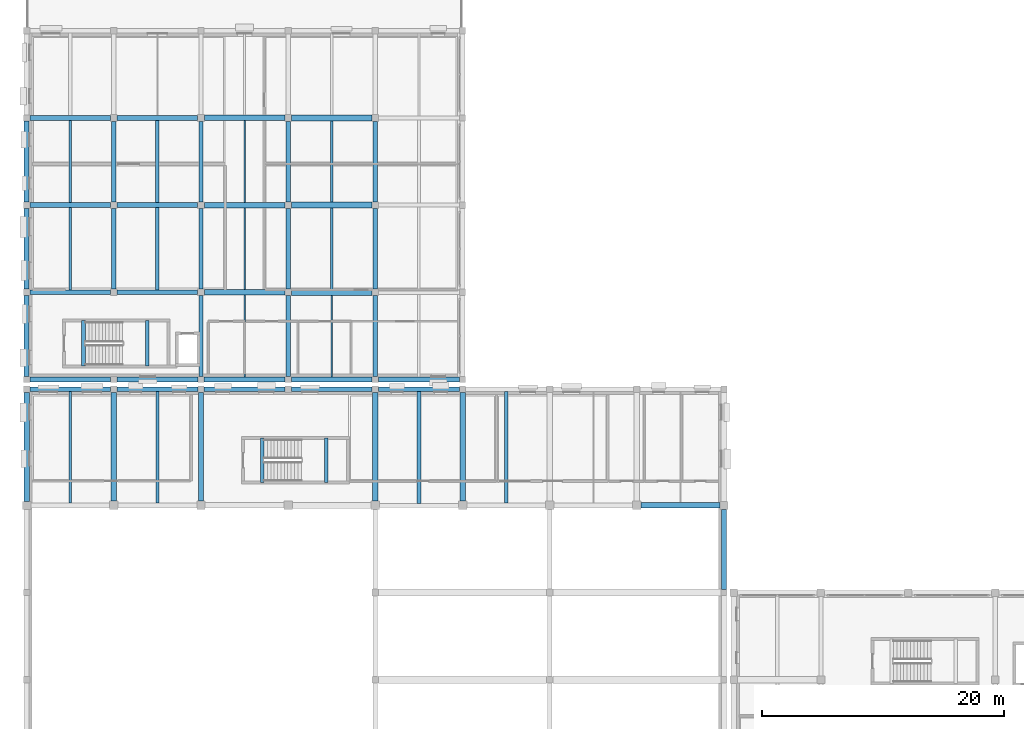
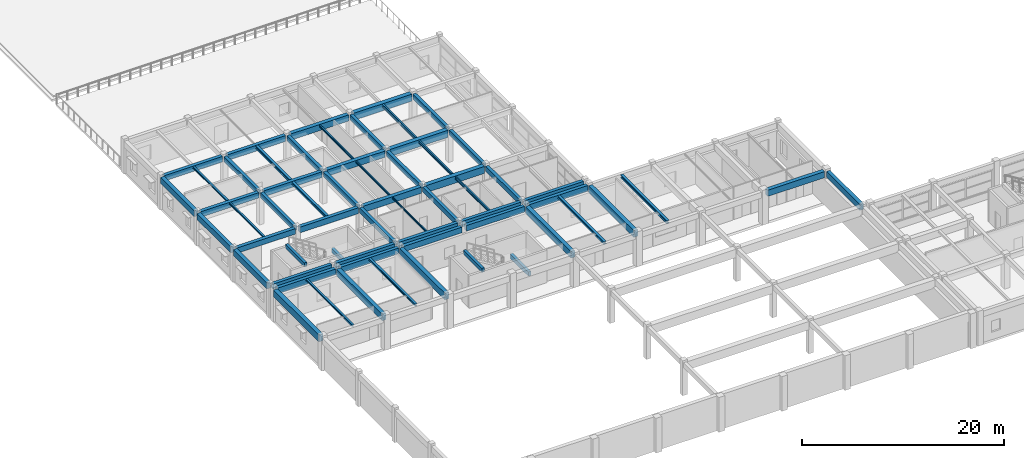
# One storey, part 5 of 67: 61 beams.
"""IFC4 building model written with IfcOpenShell, lengths in metres."""

from ifc_helpers import new_model, si_unit, direction, frame, origin, origin_2d, place, context, subcontext, project, spatial, rectangle, i_section, extrude, material, material_profile, profile_set, type_object, element, save


model = new_model("IFC4")

# Units and contexts
model_context = context("Model", 3, precision=1e-05, world=origin(), true_north=direction((0.0, 1.0)))
body_context = subcontext(model_context, "Body", "Model", "MODEL_VIEW")
ifc_project = project(units=[si_unit("LENGTHUNIT", "METRE"), si_unit("AREAUNIT", "SQUARE_METRE"), si_unit("VOLUMEUNIT", "CUBIC_METRE"), si_unit("PLANEANGLEUNIT", "RADIAN"), si_unit("MASSUNIT", "GRAM", prefix="KILO")], contexts=[model_context])

# Site, building, storey
site_placement = place(None, origin())
site = spatial("IfcSite", under=ifc_project, at=site_placement, CompositionType="ELEMENT")
building_placement = place(site_placement, origin())
building = spatial("IfcBuilding", under=site, at=building_placement, Name="Bramveld Media Centre", CompositionType="ELEMENT")
storey_placement = place(building_placement, frame((0.0, 0.0, 5.39990234375)))
storey = spatial("IfcBuildingStorey", under=building, at=storey_placement, Name="L01", CompositionType="ELEMENT", Elevation=5.39990234375)

# Beams
ifc_material_1 = material(Name="Concrete C40/50", Category="concrete")
ifc_material_profile_1 = material_profile(ifc_material_1, rectangle(XDim=0.300048828125, YDim=0.5, at=origin_2d()), Name="RC 300x500")
ifc_profile_set_1 = profile_set([ifc_material_profile_1], Name="Concrete C40/50")
beam_type_1 = type_object("IfcBeamType", Name="BM-INT-RC-300x500", PredefinedType="BEAM", material=ifc_profile_set_1)
for number, where, z_axis, x_axis, name in (
    (1, (4.699951171875, 40.300048828125, 3.9501953125), (0.0, 1.0, 0.0), (-1.0, 0.0, 0.0), "ST-04 L02 stairwell landing trimmer beam"),
    (2, (9.949951171875, 40.300048828125, 1.650146484375), (0.0, 1.0, 0.0), (-1.0, 0.0, 0.0), "ST-04 L01 stairwell half-landing support beam"),
):
    element("IfcBeam", number, at=place(storey_placement, frame(where, z_axis=z_axis, x_axis=x_axis)), inside=storey, type_object=beam_type_1, Name=name, PredefinedType="BEAM", context=body_context, shape_type="SweptSolid", body=[
        extrude(rectangle(XDim=0.300048828125, YDim=0.5, at=origin_2d()), origin(), (0.0, 0.0, 1.0), 3.75),
    ])
for number, where, z_axis, x_axis, name in (
    (3, (19.449951171875, 30.699951171875, 3.9501953125), (0.0, 1.0, 0.0), (-1.0, 0.0, 0.0), "ST-05 L02 stairwell landing trimmer beam"),
    (4, (24.75, 30.699951171875, 1.650146484375), (0.0, 1.0, 0.0), (-1.0, 0.0, 0.0), "ST-05 L01 stairwell half-landing support beam"),
):
    element("IfcBeam", number, at=place(storey_placement, frame(where, z_axis=z_axis, x_axis=x_axis)), inside=storey, type_object=beam_type_1, Name=name, PredefinedType="BEAM", context=body_context, shape_type="SweptSolid", body=[
        extrude(rectangle(XDim=0.300048828125, YDim=0.5, at=origin_2d()), origin(), (0.0, 0.0, 1.0), 3.650146484375),
    ])
ifc_material_2 = material(Name="Concrete C40/50", Category="concrete")
ifc_material_profile_2 = material_profile(ifc_material_2, rectangle(XDim=0.35009765625, YDim=0.60009765625, at=origin_2d()), Name="RC 350x600")
ifc_profile_set_2 = profile_set([ifc_material_profile_2], Name="Concrete C40/50")
beam_type_2 = type_object("IfcBeamType", Name="BM-INT-RC-350x600", PredefinedType="BEAM", material=ifc_profile_set_2)
for number, where, z_axis, x_axis, name in (
    (5, (7.199951171875, 46.675048828125, 3.64013671875), (0.0, 1.0, 0.0), (-1.0, 0.0, 0.0), "V3 L01 girder Y-286"),
    (6, (7.199951171875, 53.875, 3.64013671875), (0.0, 1.0, 0.0), (-1.0, 0.0, 0.0), "V3 L01 girder Y-287"),
):
    element("IfcBeam", number, at=place(storey_placement, frame(where, z_axis=z_axis, x_axis=x_axis)), inside=storey, type_object=beam_type_2, Name=name, PredefinedType="BEAM", context=body_context, shape_type="SweptSolid", body=[
        extrude(rectangle(XDim=0.35009765625, YDim=0.60009765625, at=origin_2d()), origin(), (0.0, 0.0, 1.0), 6.64990234375),
    ])
beam_1_placement = place(storey_placement, frame((14.39990234375, 39.4599609375, 3.64013671875), z_axis=(0.0, 1.0, 0.0), x_axis=(-1.0, 0.0, 0.0)))
element("IfcBeam", 7, at=beam_1_placement, inside=storey, type_object=beam_type_2, Name="V3 L01 girder Y-289", PredefinedType="BEAM", context=body_context, shape_type="SweptSolid", body=[
    extrude(rectangle(XDim=0.35009765625, YDim=0.60009765625, at=origin_2d()), origin(), (0.0, 0.0, 1.0), 6.6650390625),
])
for number, where, z_axis, x_axis, name in (
    (8, (14.39990234375, 46.675048828125, 3.64013671875), (0.0, 1.0, 0.0), (-1.0, 0.0, 0.0), "V3 L01 girder Y-290"),
    (9, (14.39990234375, 53.875, 3.64013671875), (0.0, 1.0, 0.0), (-1.0, 0.0, 0.0), "V3 L01 girder Y-291"),
):
    element("IfcBeam", number, at=place(storey_placement, frame(where, z_axis=z_axis, x_axis=x_axis)), inside=storey, type_object=beam_type_2, Name=name, PredefinedType="BEAM", context=body_context, shape_type="SweptSolid", body=[
        extrude(rectangle(XDim=0.35009765625, YDim=0.60009765625, at=origin_2d()), origin(), (0.0, 0.0, 1.0), 6.64990234375),
    ])
beam_2_placement = place(storey_placement, frame((21.60009765625, 39.4599609375, 3.64013671875), z_axis=(0.0, 1.0, 0.0), x_axis=(-1.0, 0.0, 0.0)))
element("IfcBeam", 10, at=beam_2_placement, inside=storey, type_object=beam_type_2, Name="V3 L01 girder Y-293", PredefinedType="BEAM", context=body_context, shape_type="SweptSolid", body=[
    extrude(rectangle(XDim=0.35009765625, YDim=0.60009765625, at=origin_2d()), origin(), (0.0, 0.0, 1.0), 6.6650390625),
])
for number, where, z_axis, x_axis, name in (
    (11, (21.60009765625, 46.675048828125, 3.64013671875), (0.0, 1.0, 0.0), (-1.0, 0.0, 0.0), "V3 L01 girder Y-294"),
    (12, (21.60009765625, 53.875, 3.64013671875), (0.0, 1.0, 0.0), (-1.0, 0.0, 0.0), "V3 L01 girder Y-295"),
):
    element("IfcBeam", number, at=place(storey_placement, frame(where, z_axis=z_axis, x_axis=x_axis)), inside=storey, type_object=beam_type_2, Name=name, PredefinedType="BEAM", context=body_context, shape_type="SweptSolid", body=[
        extrude(rectangle(XDim=0.35009765625, YDim=0.60009765625, at=origin_2d()), origin(), (0.0, 0.0, 1.0), 6.64990234375),
    ])
beam_3_placement = place(storey_placement, frame((28.800048828125, 39.4599609375, 3.64013671875), z_axis=(0.0, 1.0, 0.0), x_axis=(-1.0, 0.0, 0.0)))
element("IfcBeam", 13, at=beam_3_placement, inside=storey, type_object=beam_type_2, Name="V3 L01 girder Y-297", PredefinedType="BEAM", context=body_context, shape_type="SweptSolid", body=[
    extrude(rectangle(XDim=0.35009765625, YDim=0.60009765625, at=origin_2d()), origin(), (0.0, 0.0, 1.0), 6.6650390625),
])
for number, where, z_axis, x_axis, name in (
    (14, (28.800048828125, 46.675048828125, 3.64013671875), (0.0, 1.0, 0.0), (-1.0, 0.0, 0.0), "V3 L01 girder Y-298"),
    (15, (28.800048828125, 53.875, 3.64013671875), (0.0, 1.0, 0.0), (-1.0, 0.0, 0.0), "V3 L01 girder Y-299"),
):
    element("IfcBeam", number, at=place(storey_placement, frame(where, z_axis=z_axis, x_axis=x_axis)), inside=storey, type_object=beam_type_2, Name=name, PredefinedType="BEAM", context=body_context, shape_type="SweptSolid", body=[
        extrude(rectangle(XDim=0.35009765625, YDim=0.60009765625, at=origin_2d()), origin(), (0.0, 0.0, 1.0), 6.64990234375),
    ])
ifc_material_3 = material(Name="Concrete C40/50", Category="concrete")
ifc_material_profile_3 = material_profile(ifc_material_3, rectangle(XDim=0.39990234375, YDim=0.64990234375, at=origin_2d()), Name="RC 400x650")
ifc_profile_set_3 = profile_set([ifc_material_profile_3], Name="Concrete C40/50")
beam_type_3 = type_object("IfcBeamType", Name="BM-INT-RC-400x650", PredefinedType="BEAM", material=ifc_profile_set_3)
for number, where, z_axis, x_axis, name in (
    (16, (0.260009765625, 46.39990234375, 3.614990234375), (1.0, 0.0, 0.0), (0.0, 1.0, 0.0), "V3 L01 girder X-262"),
    (17, (0.260009765625, 53.60009765625, 3.614990234375), (1.0, 0.0, 0.0), (0.0, 1.0, 0.0), "V3 L01 girder X-267"),
    (18, (0.260009765625, 60.800048828125, 3.614990234375), (1.0, 0.0, 0.0), (0.0, 1.0, 0.0), "V3 L01 girder X-272"),
):
    element("IfcBeam", number, at=place(storey_placement, frame(where, z_axis=z_axis, x_axis=x_axis)), inside=storey, type_object=beam_type_3, Name=name, PredefinedType="BEAM", context=body_context, shape_type="SweptSolid", body=[
        extrude(rectangle(XDim=0.39990234375, YDim=0.64990234375, at=origin_2d()), origin(), (0.0, 0.0, 1.0), 6.6650390625),
    ])
ifc_material_4 = material(Name="Concrete C40/50", Category="concrete")
ifc_material_profile_4 = material_profile(ifc_material_4, rectangle(XDim=0.39990234375, YDim=0.699951171875, at=origin_2d()), Name="RC 400x700")
ifc_profile_set_4 = profile_set([ifc_material_profile_4], Name="Concrete C40/50")
beam_type_4 = type_object("IfcBeamType", Name="BM-INT-RC-400x700", PredefinedType="BEAM", material=ifc_profile_set_4)
for number, where, z_axis, x_axis, name in (
    (19, (7.47509765625, 46.39990234375, 3.590087890625), (1.0, 0.0, 0.0), (0.0, 1.0, 0.0), "V3 L01 girder X-263"),
    (20, (7.47509765625, 53.60009765625, 3.590087890625), (1.0, 0.0, 0.0), (0.0, 1.0, 0.0), "V3 L01 girder X-268"),
    (21, (7.47509765625, 60.800048828125, 3.590087890625), (1.0, 0.0, 0.0), (0.0, 1.0, 0.0), "V3 L01 girder X-273"),
):
    element("IfcBeam", number, at=place(storey_placement, frame(where, z_axis=z_axis, x_axis=x_axis)), inside=storey, type_object=beam_type_4, Name=name, PredefinedType="BEAM", context=body_context, shape_type="SweptSolid", body=[
        extrude(rectangle(XDim=0.39990234375, YDim=0.699951171875, at=origin_2d()), origin(), (0.0, 0.0, 1.0), 6.64990234375),
    ])
ifc_material_5 = material(Name="Concrete C40/50", Category="concrete")
ifc_material_profile_5 = material_profile(ifc_material_5, rectangle(XDim=0.449951171875, YDim=0.75, at=origin_2d()), Name="RC 450x750")
ifc_profile_set_5 = profile_set([ifc_material_profile_5], Name="Concrete C40/50")
beam_type_5 = type_object("IfcBeamType", Name="BM-INT-RC-450x750", PredefinedType="BEAM", material=ifc_profile_set_5)
beam_4_placement = place(storey_placement, frame((50.75, 28.800048828125, 3.545166015625), z_axis=(1.0, 0.0, 0.0), x_axis=(0.0, 1.0, 0.0)))
element("IfcBeam", 22, at=beam_4_placement, inside=storey, type_object=beam_type_5, Name="V2 L01 girder X-152", PredefinedType="BEAM", context=body_context, shape_type="SweptSolid", body=[
    extrude(rectangle(XDim=0.449951171875, YDim=0.75, at=origin_2d()), origin(), (0.0, 0.0, 1.0), 6.510009765625),
])
for number, where, z_axis, x_axis, name in (
    (23, (14.675048828125, 46.39990234375, 3.565185546875), (1.0, 0.0, 0.0), (0.0, 1.0, 0.0), "V3 L01 girder X-264"),
    (24, (14.675048828125, 53.60009765625, 3.565185546875), (1.0, 0.0, 0.0), (0.0, 1.0, 0.0), "V3 L01 girder X-269"),
    (25, (14.675048828125, 60.800048828125, 3.565185546875), (1.0, 0.0, 0.0), (0.0, 1.0, 0.0), "V3 L01 girder X-274"),
):
    element("IfcBeam", number, at=place(storey_placement, frame(where, z_axis=z_axis, x_axis=x_axis)), inside=storey, type_object=beam_type_5, Name=name, PredefinedType="BEAM", context=body_context, shape_type="SweptSolid", body=[
        extrude(rectangle(XDim=0.449951171875, YDim=0.75, at=origin_2d()), origin(), (0.0, 0.0, 1.0), 6.64990234375),
    ])
ifc_material_6 = material(Name="Concrete C40/50", Category="concrete")
ifc_material_profile_6 = material_profile(ifc_material_6, rectangle(XDim=0.449951171875, YDim=0.800048828125, at=origin_2d()), Name="RC 450x800")
ifc_profile_set_6 = profile_set([ifc_material_profile_6], Name="Concrete C40/50")
beam_type_6 = type_object("IfcBeamType", Name="BM-INT-RC-450x800", PredefinedType="BEAM", material=ifc_profile_set_6)
for number, where, z_axis, x_axis, name in (
    (26, (7.199951171875, 29.14990234375, 3.52001953125), (0.0, 1.0, 0.0), (-1.0, 0.0, 0.0), "V2 L01 girder Y-166"),
    (27, (14.39990234375, 29.14990234375, 3.52001953125), (0.0, 1.0, 0.0), (-1.0, 0.0, 0.0), "V2 L01 girder Y-167"),
    (28, (28.800048828125, 29.14990234375, 3.52001953125), (0.0, 1.0, 0.0), (-1.0, 0.0, 0.0), "V2 L01 girder Y-172"),
    (29, (36.0, 29.14990234375, 3.52001953125), (0.0, 1.0, 0.0), (-1.0, 0.0, 0.0), "V2 L01 girder Y-173"),
):
    element("IfcBeam", number, at=place(storey_placement, frame(where, z_axis=z_axis, x_axis=x_axis)), inside=storey, type_object=beam_type_6, Name=name, PredefinedType="BEAM", context=body_context, shape_type="SweptSolid", body=[
        extrude(rectangle(XDim=0.449951171875, YDim=0.800048828125, at=origin_2d()), origin(), (0.0, 0.0, 1.0), 8.989990234375),
    ])
ifc_material_7 = material(Name="Concrete C40/50", Category="concrete")
ifc_material_profile_7 = material_profile(ifc_material_7, rectangle(XDim=0.5, YDim=0.85009765625, at=origin_2d()), Name="RC 500x850")
ifc_profile_set_7 = profile_set([ifc_material_profile_7], Name="Concrete C40/50")
beam_type_7 = type_object("IfcBeamType", Name="BM-INT-RC-500x850", PredefinedType="BEAM", material=ifc_profile_set_7)
for number, where, z_axis, x_axis, name in (
    (30, (21.875, 46.39990234375, 3.51513671875), (1.0, 0.0, 0.0), (0.0, 1.0, 0.0), "V3 L01 girder X-265"),
    (31, (21.875, 53.60009765625, 3.51513671875), (1.0, 0.0, 0.0), (0.0, 1.0, 0.0), "V3 L01 girder X-270"),
    (32, (21.875, 60.800048828125, 3.51513671875), (1.0, 0.0, 0.0), (0.0, 1.0, 0.0), "V3 L01 girder X-275"),
):
    element("IfcBeam", number, at=place(storey_placement, frame(where, z_axis=z_axis, x_axis=x_axis)), inside=storey, type_object=beam_type_7, Name=name, PredefinedType="BEAM", context=body_context, shape_type="SweptSolid", body=[
        extrude(rectangle(XDim=0.5, YDim=0.85009765625, at=origin_2d()), origin(), (0.0, 0.0, 1.0), 6.64990234375),
    ])
ifc_material_8 = material(Name="Steel S355J2", Category="steel")
ifc_material_profile_8 = material_profile(ifc_material_8, i_section(OverallWidth=0.199951171875, OverallDepth=0.199951171875, WebThickness=0.009033203125, FlangeThickness=0.014892578125, FilletRadius=0.01806640625, at=origin_2d()), Name="HEB 200")
ifc_profile_set_8 = profile_set([ifc_material_profile_8], Name="Steel S355J2")
beam_type_8 = type_object("IfcBeamType", Name="SBM-INT-HEB-200", PredefinedType="BEAM", material=ifc_profile_set_8)
beam_5_placement = place(storey_placement, frame((3.60009765625, 46.60009765625, 3.840087890625), z_axis=(0.0, 1.0, 0.0), x_axis=(-1.0, 0.0, 0.0)))
element("IfcBeam", 33, at=beam_5_placement, inside=storey, type_object=beam_type_8, Name="V3 L01 secondary floor joist 305", PredefinedType="BEAM", context=body_context, shape_type="SweptSolid", body=[
    extrude(i_section(OverallWidth=0.199951171875, OverallDepth=0.199951171875, WebThickness=0.009033203125, FlangeThickness=0.014892578125, FilletRadius=0.01806640625, at=origin_2d()), origin(), (0.0, 0.0, 1.0), 6.7998046875),
])
ifc_material_9 = material(Name="Steel S355J2", Category="steel")
ifc_material_profile_9 = material_profile(ifc_material_9, i_section(OverallWidth=0.219970703125, OverallDepth=0.219970703125, WebThickness=0.009521484375, FlangeThickness=0.01611328125, FilletRadius=0.01806640625, at=origin_2d()), Name="HEB 220")
ifc_profile_set_9 = profile_set([ifc_material_profile_9], Name="Steel S355J2")
beam_type_9 = type_object("IfcBeamType", Name="SBM-INT-HEB-220", PredefinedType="BEAM", material=ifc_profile_set_9)
beam_6_placement = place(storey_placement, frame((3.60009765625, 29.0, 3.81005859375), z_axis=(0.0, 1.0, 0.0), x_axis=(-1.0, 0.0, 0.0)))
element("IfcBeam", 34, at=beam_6_placement, inside=storey, type_object=beam_type_9, Name="V2 L01 secondary floor joist 185", PredefinedType="BEAM", context=body_context, shape_type="SweptSolid", body=[
    extrude(i_section(OverallWidth=0.219970703125, OverallDepth=0.219970703125, WebThickness=0.009521484375, FlangeThickness=0.01611328125, FilletRadius=0.01806640625, at=origin_2d()), origin(), (0.0, 0.0, 1.0), 9.2099609375),
])
beam_7_placement = place(storey_placement, frame((3.60009765625, 53.800048828125, 3.830078125), z_axis=(0.0, 1.0, 0.0), x_axis=(-1.0, 0.0, 0.0)))
element("IfcBeam", 35, at=beam_7_placement, inside=storey, type_object=beam_type_9, Name="V3 L01 secondary floor joist 306", PredefinedType="BEAM", context=body_context, shape_type="SweptSolid", body=[
    extrude(i_section(OverallWidth=0.219970703125, OverallDepth=0.219970703125, WebThickness=0.009521484375, FlangeThickness=0.01611328125, FilletRadius=0.01806640625, at=origin_2d()), origin(), (0.0, 0.0, 1.0), 6.800048828125),
])
ifc_material_10 = material(Name="Steel S355J2", Category="steel")
ifc_material_profile_10 = material_profile(ifc_material_10, i_section(OverallWidth=0.260009765625, OverallDepth=0.260009765625, WebThickness=0.010009765625, FlangeThickness=0.017578125, FilletRadius=0.02392578125, at=origin_2d()), Name="HEB 260")
ifc_profile_set_10 = profile_set([ifc_material_profile_10], Name="Steel S355J2")
beam_type_10 = type_object("IfcBeamType", Name="SBM-INT-HEB-260", PredefinedType="BEAM", material=ifc_profile_set_10)
beam_8_placement = place(storey_placement, frame((10.800048828125, 29.0, 3.7900390625), z_axis=(0.0, 1.0, 0.0), x_axis=(-1.0, 0.0, 0.0)))
element("IfcBeam", 36, at=beam_8_placement, inside=storey, type_object=beam_type_10, Name="V2 L01 secondary floor joist 186", PredefinedType="BEAM", context=body_context, shape_type="SweptSolid", body=[
    extrude(i_section(OverallWidth=0.260009765625, OverallDepth=0.260009765625, WebThickness=0.010009765625, FlangeThickness=0.017578125, FilletRadius=0.02392578125, at=origin_2d()), origin(), (0.0, 0.0, 1.0), 9.2099609375),
])
ifc_material_11 = material(Name="Steel S355J2", Category="steel")
ifc_material_profile_11 = material_profile(ifc_material_11, i_section(OverallWidth=0.300048828125, OverallDepth=0.320068359375, WebThickness=0.011474609375, FlangeThickness=0.0205078125, FilletRadius=0.027099609375, at=origin_2d()), Name="HEB 320")
ifc_profile_set_11 = profile_set([ifc_material_profile_11], Name="Steel S355J2")
beam_type_11 = type_object("IfcBeamType", Name="SBM-INT-HEB-320", PredefinedType="BEAM", material=ifc_profile_set_11)
beam_9_placement = place(storey_placement, frame((32.39990234375, 28.97509765625, 3.760009765625), z_axis=(0.0, 1.0, 0.0), x_axis=(-1.0, 0.0, 0.0)))
element("IfcBeam", 37, at=beam_9_placement, inside=storey, type_object=beam_type_11, Name="V2 L01 secondary floor joist 187", PredefinedType="BEAM", context=body_context, shape_type="SweptSolid", body=[
    extrude(i_section(OverallWidth=0.300048828125, OverallDepth=0.320068359375, WebThickness=0.011474609375, FlangeThickness=0.0205078125, FilletRadius=0.027099609375, at=origin_2d()), origin(), (0.0, 0.0, 1.0), 9.23486328125),
])
beam_10_placement = place(storey_placement, frame((10.800048828125, 46.60009765625, 3.780029296875), z_axis=(0.0, 1.0, 0.0), x_axis=(-1.0, 0.0, 0.0)))
element("IfcBeam", 38, at=beam_10_placement, inside=storey, type_object=beam_type_11, Name="V3 L01 secondary floor joist 308", PredefinedType="BEAM", context=body_context, shape_type="SweptSolid", body=[
    extrude(i_section(OverallWidth=0.300048828125, OverallDepth=0.320068359375, WebThickness=0.011474609375, FlangeThickness=0.0205078125, FilletRadius=0.027099609375, at=origin_2d()), origin(), (0.0, 0.0, 1.0), 6.7998046875),
])
ifc_material_12 = material(Name="Steel S355J2", Category="steel")
ifc_material_profile_12 = material_profile(ifc_material_12, i_section(OverallWidth=0.300048828125, OverallDepth=0.360107421875, WebThickness=0.012451171875, FlangeThickness=0.0224609375, FilletRadius=0.027099609375, at=origin_2d()), Name="HEB 360")
ifc_profile_set_12 = profile_set([ifc_material_profile_12], Name="Steel S355J2")
beam_type_12 = type_object("IfcBeamType", Name="SBM-INT-HEB-360", PredefinedType="BEAM", material=ifc_profile_set_12)
beam_11_placement = place(storey_placement, frame((39.60009765625, 29.0, 3.739990234375), z_axis=(0.0, 1.0, 0.0), x_axis=(-1.0, 0.0, 0.0)))
element("IfcBeam", 39, at=beam_11_placement, inside=storey, type_object=beam_type_12, Name="V2 L01 secondary floor joist 188", PredefinedType="BEAM", context=body_context, shape_type="SweptSolid", body=[
    extrude(i_section(OverallWidth=0.300048828125, OverallDepth=0.360107421875, WebThickness=0.012451171875, FlangeThickness=0.0224609375, FilletRadius=0.027099609375, at=origin_2d()), origin(), (0.0, 0.0, 1.0), 9.2099609375),
])
beam_12_placement = place(storey_placement, frame((10.800048828125, 53.800048828125, 3.760009765625), z_axis=(0.0, 1.0, 0.0), x_axis=(-1.0, 0.0, 0.0)))
element("IfcBeam", 40, at=beam_12_placement, inside=storey, type_object=beam_type_12, Name="V3 L01 secondary floor joist 309", PredefinedType="BEAM", context=body_context, shape_type="SweptSolid", body=[
    extrude(i_section(OverallWidth=0.300048828125, OverallDepth=0.360107421875, WebThickness=0.012451171875, FlangeThickness=0.0224609375, FilletRadius=0.027099609375, at=origin_2d()), origin(), (0.0, 0.0, 1.0), 6.800048828125),
])
ifc_material_13 = material(Name="Steel S355J2", Category="steel")
ifc_material_profile_13 = material_profile(ifc_material_13, i_section(OverallWidth=0.110107421875, OverallDepth=0.219970703125, WebThickness=0.005859375, FlangeThickness=0.00927734375, FilletRadius=0.011962890625, at=origin_2d()), Name="IPE 220")
ifc_profile_set_13 = profile_set([ifc_material_profile_13], Name="Steel S355J2")
beam_type_13 = type_object("IfcBeamType", Name="SBM-INT-IPE-220", PredefinedType="JOIST", material=ifc_profile_set_13)
beam_13_placement = place(storey_placement, frame((18.0, 39.389892578125, 3.830078125), z_axis=(0.0, 1.0, 0.0), x_axis=(-1.0, 0.0, 0.0)))
element("IfcBeam", 41, at=beam_13_placement, inside=storey, type_object=beam_type_13, Name="V3 L01 secondary floor joist 311", PredefinedType="JOIST", context=body_context, shape_type="SweptSolid", body=[
    extrude(i_section(OverallWidth=0.110107421875, OverallDepth=0.219970703125, WebThickness=0.005859375, FlangeThickness=0.00927734375, FilletRadius=0.011962890625, at=origin_2d()), origin(), (0.0, 0.0, 1.0), 6.78515625),
])
ifc_material_14 = material(Name="Steel S355J2", Category="steel")
ifc_material_profile_14 = material_profile(ifc_material_14, i_section(OverallWidth=0.1201171875, OverallDepth=0.239990234375, WebThickness=0.006103515625, FlangeThickness=0.009765625, FilletRadius=0.014892578125, at=origin_2d()), Name="IPE 240")
ifc_profile_set_14 = profile_set([ifc_material_profile_14], Name="Steel S355J2")
beam_type_14 = type_object("IfcBeamType", Name="SBM-INT-IPE-240", PredefinedType="JOIST", material=ifc_profile_set_14)
beam_14_placement = place(storey_placement, frame((18.0, 46.625, 3.820068359375), z_axis=(0.0, 1.0, 0.0), x_axis=(-1.0, 0.0, 0.0)))
element("IfcBeam", 42, at=beam_14_placement, inside=storey, type_object=beam_type_14, Name="V3 L01 secondary floor joist 312", PredefinedType="JOIST", context=body_context, shape_type="SweptSolid", body=[
    extrude(i_section(OverallWidth=0.1201171875, OverallDepth=0.239990234375, WebThickness=0.006103515625, FlangeThickness=0.009765625, FilletRadius=0.014892578125, at=origin_2d()), origin(), (0.0, 0.0, 1.0), 6.75),
])
ifc_material_15 = material(Name="Steel S355J2", Category="steel")
ifc_material_profile_15 = material_profile(ifc_material_15, i_section(OverallWidth=0.135009765625, OverallDepth=0.27001953125, WebThickness=0.006591796875, FlangeThickness=0.01025390625, FilletRadius=0.014892578125, at=origin_2d()), Name="IPE 270")
ifc_profile_set_15 = profile_set([ifc_material_profile_15], Name="Steel S355J2")
beam_type_15 = type_object("IfcBeamType", Name="SBM-INT-IPE-270", PredefinedType="JOIST", material=ifc_profile_set_15)
beam_15_placement = place(storey_placement, frame((18.0, 53.824951171875, 3.80517578125), z_axis=(0.0, 1.0, 0.0), x_axis=(-1.0, 0.0, 0.0)))
element("IfcBeam", 43, at=beam_15_placement, inside=storey, type_object=beam_type_15, Name="V3 L01 secondary floor joist 313", PredefinedType="JOIST", context=body_context, shape_type="SweptSolid", body=[
    extrude(i_section(OverallWidth=0.135009765625, OverallDepth=0.27001953125, WebThickness=0.006591796875, FlangeThickness=0.01025390625, FilletRadius=0.014892578125, at=origin_2d()), origin(), (0.0, 0.0, 1.0), 6.75),
])
ifc_material_16 = material(Name="Steel S355J2", Category="steel")
ifc_material_profile_16 = material_profile(ifc_material_16, i_section(OverallWidth=0.159912109375, OverallDepth=0.330078125, WebThickness=0.007568359375, FlangeThickness=0.011474609375, FilletRadius=0.01806640625, at=origin_2d()), Name="IPE 330")
ifc_profile_set_16 = profile_set([ifc_material_profile_16], Name="Steel S355J2")
beam_type_16 = type_object("IfcBeamType", Name="SBM-INT-IPE-330", PredefinedType="JOIST", material=ifc_profile_set_16)
beam_16_placement = place(storey_placement, frame((25.199951171875, 39.389892578125, 3.775146484375), z_axis=(0.0, 1.0, 0.0), x_axis=(-1.0, 0.0, 0.0)))
element("IfcBeam", 44, at=beam_16_placement, inside=storey, type_object=beam_type_16, Name="V3 L01 secondary floor joist 315", PredefinedType="JOIST", context=body_context, shape_type="SweptSolid", body=[
    extrude(i_section(OverallWidth=0.159912109375, OverallDepth=0.330078125, WebThickness=0.007568359375, FlangeThickness=0.011474609375, FilletRadius=0.01806640625, at=origin_2d()), origin(), (0.0, 0.0, 1.0), 6.760009765625),
])
ifc_material_17 = material(Name="Steel S355J2", Category="steel")
ifc_material_profile_17 = material_profile(ifc_material_17, i_section(OverallWidth=0.169921875, OverallDepth=0.360107421875, WebThickness=0.008056640625, FlangeThickness=0.0126953125, FilletRadius=0.01806640625, at=origin_2d()), Name="IPE 360")
ifc_profile_set_17 = profile_set([ifc_material_profile_17], Name="Steel S355J2")
beam_type_17 = type_object("IfcBeamType", Name="SBM-INT-IPE-360", PredefinedType="JOIST", material=ifc_profile_set_17)
beam_17_placement = place(storey_placement, frame((25.199951171875, 46.64990234375, 3.760009765625), z_axis=(0.0, 1.0, 0.0), x_axis=(-1.0, 0.0, 0.0)))
element("IfcBeam", 45, at=beam_17_placement, inside=storey, type_object=beam_type_17, Name="V3 L01 secondary floor joist 316", PredefinedType="JOIST", context=body_context, shape_type="SweptSolid", body=[
    extrude(i_section(OverallWidth=0.169921875, OverallDepth=0.360107421875, WebThickness=0.008056640625, FlangeThickness=0.0126953125, FilletRadius=0.01806640625, at=origin_2d()), origin(), (0.0, 0.0, 1.0), 6.7001953125),
])
ifc_material_18 = material(Name="Steel S355J2", Category="steel")
ifc_material_profile_18 = material_profile(ifc_material_18, i_section(OverallWidth=0.179931640625, OverallDepth=0.39990234375, WebThickness=0.008544921875, FlangeThickness=0.013427734375, FilletRadius=0.02099609375, at=origin_2d()), Name="IPE 400")
ifc_profile_set_18 = profile_set([ifc_material_profile_18], Name="Steel S355J2")
beam_type_18 = type_object("IfcBeamType", Name="SBM-INT-IPE-400", PredefinedType="JOIST", material=ifc_profile_set_18)
beam_18_placement = place(storey_placement, frame((25.199951171875, 53.85009765625, 3.739990234375), z_axis=(0.0, 1.0, 0.0), x_axis=(-1.0, 0.0, 0.0)))
element("IfcBeam", 46, at=beam_18_placement, inside=storey, type_object=beam_type_18, Name="V3 L01 secondary floor joist 317", PredefinedType="JOIST", context=body_context, shape_type="SweptSolid", body=[
    extrude(i_section(OverallWidth=0.179931640625, OverallDepth=0.39990234375, WebThickness=0.008544921875, FlangeThickness=0.013427734375, FilletRadius=0.02099609375, at=origin_2d()), origin(), (0.0, 0.0, 1.0), 6.699951171875),
])
ifc_material_19 = material(Name="Concrete C40/50", Category="concrete")
ifc_material_profile_19 = material_profile(ifc_material_19, rectangle(XDim=0.3798828125, YDim=0.679931640625, at=origin_2d()), Name="RC 380x680")
ifc_profile_set_19 = profile_set([ifc_material_profile_19], Name="Concrete C40/50")
beam_type_19 = type_object("IfcBeamType", Name="SPANDREL-EXT-RC-380x680", PredefinedType="SPANDREL", material=ifc_profile_set_19)
for number, where, z_axis, x_axis, name in (
    (47, (0.260009765625, 38.39990234375, 3.580078125), (1.0, 0.0, 0.0), (0.0, 1.0, 0.0), "V2 L01 girder X-153"),
    (48, (7.4599609375, 38.39990234375, 3.580078125), (1.0, 0.0, 0.0), (0.0, 1.0, 0.0), "V2 L01 girder X-154"),
):
    element("IfcBeam", number, at=place(storey_placement, frame(where, z_axis=z_axis, x_axis=x_axis)), inside=storey, type_object=beam_type_19, Name=name, PredefinedType="SPANDREL", context=body_context, shape_type="SweptSolid", body=[
        extrude(rectangle(XDim=0.3798828125, YDim=0.679931640625, at=origin_2d()), origin(), (0.0, 0.0, 1.0), 6.679931640625),
    ])
beam_19_placement = place(storey_placement, frame((14.659912109375, 38.39990234375, 3.580078125), z_axis=(1.0, 0.0, 0.0), x_axis=(0.0, 1.0, 0.0)))
element("IfcBeam", 49, at=beam_19_placement, inside=storey, type_object=beam_type_19, Name="V2 L01 girder X-155", PredefinedType="SPANDREL", context=body_context, shape_type="SweptSolid", body=[
    extrude(rectangle(XDim=0.3798828125, YDim=0.679931640625, at=origin_2d()), origin(), (0.0, 0.0, 1.0), 6.68017578125),
])
for number, where, z_axis, x_axis, name in (
    (50, (21.860107421875, 38.39990234375, 3.580078125), (1.0, 0.0, 0.0), (0.0, 1.0, 0.0), "V2 L01 girder X-156"),
    (51, (29.06005859375, 38.39990234375, 3.580078125), (1.0, 0.0, 0.0), (0.0, 1.0, 0.0), "V2 L01 girder X-157"),
    (52, (0.260009765625, 39.199951171875, 3.60009765625), (1.0, 0.0, 0.0), (0.0, 1.0, 0.0), "V3 L01 girder X-257"),
    (53, (7.4599609375, 39.199951171875, 3.60009765625), (1.0, 0.0, 0.0), (0.0, 1.0, 0.0), "V3 L01 girder X-258"),
):
    element("IfcBeam", number, at=place(storey_placement, frame(where, z_axis=z_axis, x_axis=x_axis)), inside=storey, type_object=beam_type_19, Name=name, PredefinedType="SPANDREL", context=body_context, shape_type="SweptSolid", body=[
        extrude(rectangle(XDim=0.3798828125, YDim=0.679931640625, at=origin_2d()), origin(), (0.0, 0.0, 1.0), 6.679931640625),
    ])
beam_20_placement = place(storey_placement, frame((14.659912109375, 39.199951171875, 3.60009765625), z_axis=(1.0, 0.0, 0.0), x_axis=(0.0, 1.0, 0.0)))
element("IfcBeam", 54, at=beam_20_placement, inside=storey, type_object=beam_type_19, Name="V3 L01 girder X-259", PredefinedType="SPANDREL", context=body_context, shape_type="SweptSolid", body=[
    extrude(rectangle(XDim=0.3798828125, YDim=0.679931640625, at=origin_2d()), origin(), (0.0, 0.0, 1.0), 6.68017578125),
])
for number, where, z_axis, x_axis, name in (
    (55, (21.860107421875, 39.199951171875, 3.60009765625), (1.0, 0.0, 0.0), (0.0, 1.0, 0.0), "V3 L01 girder X-260"),
    (56, (29.06005859375, 39.199951171875, 3.60009765625), (1.0, 0.0, 0.0), (0.0, 1.0, 0.0), "V3 L01 girder X-261"),
):
    element("IfcBeam", number, at=place(storey_placement, frame(where, z_axis=z_axis, x_axis=x_axis)), inside=storey, type_object=beam_type_19, Name=name, PredefinedType="SPANDREL", context=body_context, shape_type="SweptSolid", body=[
        extrude(rectangle(XDim=0.3798828125, YDim=0.679931640625, at=origin_2d()), origin(), (0.0, 0.0, 1.0), 6.679931640625),
    ])
ifc_material_20 = material(Name="Concrete C40/50", Category="concrete")
ifc_material_profile_20 = material_profile(ifc_material_20, rectangle(XDim=0.419921875, YDim=0.719970703125, at=origin_2d()), Name="RC 420x720")
ifc_profile_set_20 = profile_set([ifc_material_profile_20], Name="Concrete C40/50")
beam_type_20 = type_object("IfcBeamType", Name="SPANDREL-EXT-RC-420x720", PredefinedType="SPANDREL", material=ifc_profile_set_20)
beam_21_placement = place(storey_placement, frame((57.60009765625, 21.860107421875, 3.590087890625), z_axis=(0.0, 1.0, 0.0), x_axis=(-1.0, 0.0, 0.0)))
element("IfcBeam", 57, at=beam_21_placement, inside=storey, type_object=beam_type_20, Name="V2 L01 girder Y-183", PredefinedType="SPANDREL", context=body_context, shape_type="SweptSolid", body=[
    extrude(rectangle(XDim=0.419921875, YDim=0.719970703125, at=origin_2d()), origin(), (0.0, 0.0, 1.0), 6.599853515625),
])
beam_22_placement = place(storey_placement, frame((0.0, 39.4599609375, 3.580078125), z_axis=(0.0, 1.0, 0.0), x_axis=(-1.0, 0.0, 0.0)))
element("IfcBeam", 58, at=beam_22_placement, inside=storey, type_object=beam_type_20, Name="V3 L01 girder Y-282", PredefinedType="SPANDREL", context=body_context, shape_type="SweptSolid", body=[
    extrude(rectangle(XDim=0.419921875, YDim=0.719970703125, at=origin_2d()), origin(), (0.0, 0.0, 1.0), 6.679931640625),
])
beam_23_placement = place(storey_placement, frame((0.0, 46.659912109375, 3.580078125), z_axis=(0.0, 1.0, 0.0), x_axis=(-1.0, 0.0, 0.0)))
element("IfcBeam", 59, at=beam_23_placement, inside=storey, type_object=beam_type_20, Name="V3 L01 girder Y-283", PredefinedType="SPANDREL", context=body_context, shape_type="SweptSolid", body=[
    extrude(rectangle(XDim=0.419921875, YDim=0.719970703125, at=origin_2d()), origin(), (0.0, 0.0, 1.0), 6.68017578125),
])
beam_24_placement = place(storey_placement, frame((0.0, 53.860107421875, 3.580078125), z_axis=(0.0, 1.0, 0.0), x_axis=(-1.0, 0.0, 0.0)))
element("IfcBeam", 60, at=beam_24_placement, inside=storey, type_object=beam_type_20, Name="V3 L01 girder Y-284", PredefinedType="SPANDREL", context=body_context, shape_type="SweptSolid", body=[
    extrude(rectangle(XDim=0.419921875, YDim=0.719970703125, at=origin_2d()), origin(), (0.0, 0.0, 1.0), 6.679931640625),
])
ifc_material_21 = material(Name="Concrete C40/50", Category="concrete")
ifc_material_profile_21 = material_profile(ifc_material_21, rectangle(XDim=0.47998046875, YDim=0.820068359375, at=origin_2d()), Name="RC 480x820")
ifc_profile_set_21 = profile_set([ifc_material_profile_21], Name="Concrete C40/50")
beam_type_21 = type_object("IfcBeamType", Name="SPANDREL-EXT-RC-480x820", PredefinedType="SPANDREL", material=ifc_profile_set_21)
beam_25_placement = place(storey_placement, frame((0.0, 29.139892578125, 3.510009765625), z_axis=(0.0, 1.0, 0.0), x_axis=(-1.0, 0.0, 0.0)))
element("IfcBeam", 61, at=beam_25_placement, inside=storey, type_object=beam_type_21, Name="V2 L01 girder Y-165", PredefinedType="SPANDREL", context=body_context, shape_type="SweptSolid", body=[
    extrude(rectangle(XDim=0.47998046875, YDim=0.820068359375, at=origin_2d()), origin(), (0.0, 0.0, 1.0), 9.0),
])

save(model, "model.ifc")
